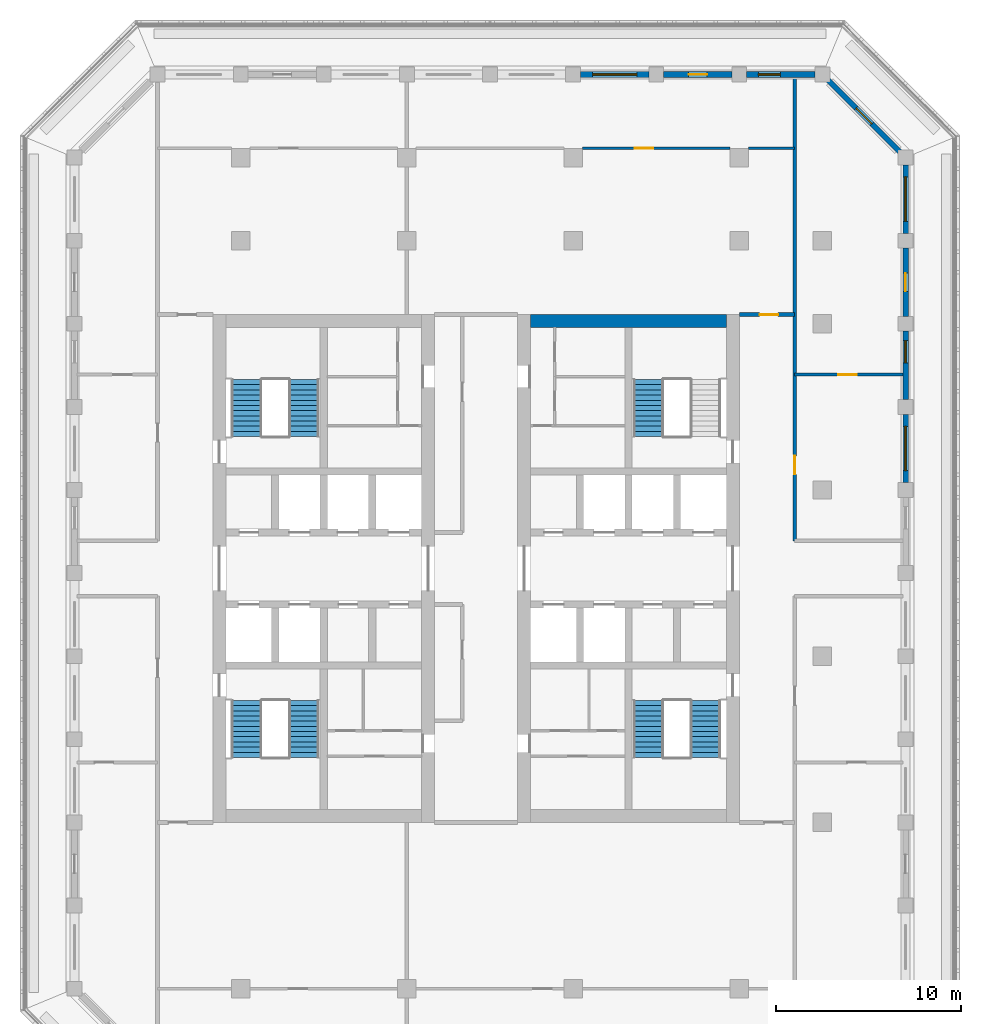
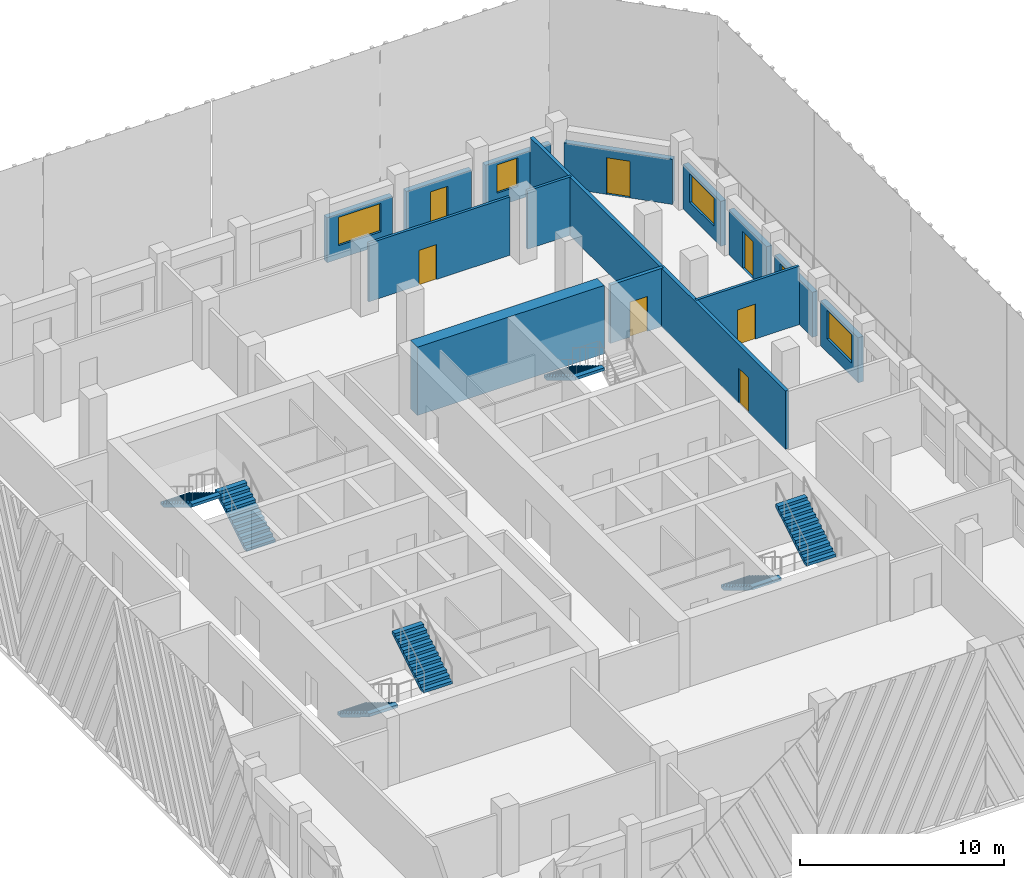
# One storey, part 7 of 17: 14 walls, 7 doors, 7 stair flights, 5 windows, 12 openings, 4 elements without a shape of their own.
"""IFC4 building model written with IfcOpenShell, lengths in metres."""

from ifc_helpers import new_model, si_unit, direction, frame, frame_2d, origin, place, context, subcontext, project, spatial, polyline, rectangle, outline, extrude, material, layer, layer_set, type_object, element, fill, aggregate, save


model = new_model("IFC4")

# Units and contexts
model_context = context("Model", 3, precision=1e-05, world=origin(), true_north=direction((0.0, 1.0)))
body_context = subcontext(model_context, "Body", "Model", "MODEL_VIEW")
ifc_project = project(units=[si_unit("LENGTHUNIT", "METRE"), si_unit("AREAUNIT", "SQUARE_METRE"), si_unit("VOLUMEUNIT", "CUBIC_METRE"), si_unit("PLANEANGLEUNIT", "RADIAN"), si_unit("MASSUNIT", "GRAM", prefix="KILO")], contexts=[model_context])

# Site, building, storey
site_placement = place(None, origin())
site = spatial("IfcSite", under=ifc_project, at=site_placement, CompositionType="ELEMENT")
building_placement = place(site_placement, origin())
building = spatial("IfcBuilding", under=site, at=building_placement, Name="Corbel Stack Research Tower", CompositionType="ELEMENT")
storey_placement = place(building_placement, frame((0.0, 0.0, 256.199951171875)))
storey = spatial("IfcBuildingStorey", under=building, at=storey_placement, Name="L58", CompositionType="ELEMENT", Elevation=256.199951171875)

# Wall
ifc_material_1 = material(Name="Concrete C60/75", Category="concrete")
ifc_layer_1 = layer(ifc_material_1, 0.699951171875)
ifc_layer_set_1 = layer_set([ifc_layer_1], Name="Concrete C60/75")
wall_type_1 = type_object("IfcWallType", Name="CW-700-60", PredefinedType="SHEAR", material=ifc_layer_set_1)
wall_1_placement = place(storey_placement, frame((6.699951171875, 18.14990234375, 0.0), z_axis=(0.0, 0.0, 1.0), x_axis=(1.0, 0.0, 0.0)))
element("IfcWall", 1, at=wall_1_placement, inside=storey, type_object=wall_type_1, Name="East core wall, north end L58", PredefinedType="SHEAR", context=body_context, shape_type="SweptSolid", body=[
    extrude(rectangle(XDim=10.60009765625, YDim=0.699951171875, at=frame_2d((5.300048828125, 0.0))), origin(), (0.0, 0.0, 1.0), 4.10009765625),
])

# Wall, opening, door
ifc_material_2 = material(Name="Fire-rated gypsum board partition on steel studs", Category="steel")
ifc_layer_2 = layer(ifc_material_2, 0.199951171875)
ifc_layer_set_2 = layer_set([ifc_layer_2], Name="Fire-rated gypsum board partition on steel studs")
wall_type_2 = type_object("IfcWallType", Name="Fire-rated partition 200 EI 60", PredefinedType="PARTITIONING", material=ifc_layer_set_2)
wall_2_placement = place(storey_placement, frame((21.0, 31.35009765625, 0.0), z_axis=(0.0, 0.0, 1.0), x_axis=(0.0, -1.0, 0.0)))
wall_2 = element("IfcWall", 2, at=wall_2_placement, inside=storey, type_object=wall_type_2, Name="Partition L58-011", PredefinedType="PARTITIONING", context=body_context, shape_type="SweptSolid", body=[
    extrude(rectangle(XDim=25.10009765625, YDim=0.199951171875, at=frame_2d((12.550048828125, 0.0))), origin(), (0.0, 0.0, 1.0), 3.5),
])
opening_1_placement = place(wall_2_placement, frame((20.5, 0.0, 0.0)))
opening_1 = element("IfcOpeningElement", 3, at=opening_1_placement, cuts=wall_2, Name="Opening B7V2-016", PredefinedType="OPENING", context=body_context, shape_type="SweptSolid", body=[
    extrude(rectangle(XDim=1.0, YDim=2.10009765625, at=frame_2d((0.5, 1.050048828125))), frame((0.0, 0.10986328125, 0.0), z_axis=(0.0, -1.0, 0.0), x_axis=(1.0, 0.0, 0.0)), (0.0, 0.0, 1.0), 0.219970703125),
])
ifc_material_3 = material(Name="Painted steel fire door", Category="steel")
door_type_1 = type_object("IfcDoorType", Name="Fire door FD30S 1000 x 2100", OperationType="NOTDEFINED", PredefinedType="DOOR", material=ifc_material_3)
door_1_placement = place(opening_1_placement, origin())
door_1 = element("IfcDoor", 4, at=door_1_placement, inside=storey, type_object=door_type_1, Name="Door B7V2-016", OperationType="SINGLE_SWING_RIGHT", OverallHeight=2.10009765625, OverallWidth=1.0, PredefinedType="DOOR", context=body_context, shape_type="SweptSolid", body=[
    extrude(rectangle(XDim=1.0, YDim=2.10009765625, at=frame_2d((0.5, 1.050048828125))), frame((0.0, 0.02490234375, 0.0), z_axis=(0.0, -1.0, 0.0), x_axis=(1.0, 0.0, 0.0)), (0.0, 0.0, 1.0), 0.050048828125),
])
fill(opening_1, door_1)

wall_3_placement = place(storey_placement, frame((18.0, 18.5, 0.0), z_axis=(0.0, 0.0, 1.0), x_axis=(1.0, 0.0, 0.0)))
wall_3 = element("IfcWall", 5, at=wall_3_placement, inside=storey, type_object=wall_type_2, Name="Partition L58-033", PredefinedType="PARTITIONING", context=body_context, shape_type="SweptSolid", body=[
    extrude(rectangle(XDim=3.0, YDim=0.199951171875, at=frame_2d((1.5, 0.0))), origin(), (0.0, 0.0, 1.0), 3.5),
])
opening_2_placement = place(wall_3_placement, frame((1.10009765625, 0.0, 0.0)))
opening_2 = element("IfcOpeningElement", 6, at=opening_2_placement, cuts=wall_3, Name="Opening B7V2-014", PredefinedType="OPENING", context=body_context, shape_type="SweptSolid", body=[
    extrude(rectangle(XDim=1.0, YDim=2.10009765625, at=frame_2d((0.5, 1.050048828125))), frame((0.0, 0.10986328125, 0.0), z_axis=(0.0, -1.0, 0.0), x_axis=(1.0, 0.0, 0.0)), (0.0, 0.0, 1.0), 0.219970703125),
])
door_2_placement = place(opening_2_placement, origin())
door_2 = element("IfcDoor", 7, at=door_2_placement, inside=storey, type_object=door_type_1, Name="Door B7V2-014", OperationType="SINGLE_SWING_RIGHT", OverallHeight=2.10009765625, OverallWidth=1.0, PredefinedType="DOOR", context=body_context, shape_type="SweptSolid", body=[
    extrude(rectangle(XDim=1.0, YDim=2.10009765625, at=frame_2d((0.5, 1.050048828125))), frame((0.0, 0.02490234375, 0.0), z_axis=(0.0, -1.0, 0.0), x_axis=(1.0, 0.0, 0.0)), (0.0, 0.0, 1.0), 0.050048828125),
])
fill(opening_2, door_2)

ifc_material_4 = material(Name="Gypsum board partition on steel studs", Category="steel")
ifc_layer_3 = layer(ifc_material_4, 0.14990234375)
ifc_layer_set_3 = layer_set([ifc_layer_3], Name="Gypsum board partition on steel studs")
wall_type_3 = type_object("IfcWallType", Name="Partition 150", PredefinedType="PARTITIONING", material=ifc_layer_set_3)
wall_4_placement = place(storey_placement, frame((21.0, 15.25, 0.0), z_axis=(0.0, 0.0, 1.0), x_axis=(1.0, 0.0, 0.0)))
wall_4 = element("IfcWall", 8, at=wall_4_placement, inside=storey, type_object=wall_type_3, Name="Partition L58-030", PredefinedType="PARTITIONING", context=body_context, shape_type="SweptSolid", body=[
    extrude(rectangle(XDim=5.85009765625, YDim=0.14990234375, at=frame_2d((2.925048828125, 0.0))), origin(), (0.0, 0.0, 1.0), 3.5),
])
opening_3_placement = place(wall_4_placement, frame((2.35009765625, 0.0, 0.0)))
opening_3 = element("IfcOpeningElement", 9, at=opening_3_placement, cuts=wall_4, Name="Opening B7V2-012", PredefinedType="OPENING", context=body_context, shape_type="SweptSolid", body=[
    extrude(rectangle(XDim=1.0, YDim=2.10009765625, at=frame_2d((0.5, 1.050048828125))), frame((0.0, 0.0849609375, 0.0), z_axis=(0.0, -1.0, 0.0), x_axis=(1.0, 0.0, 0.0)), (0.0, 0.0, 1.0), 0.169921875),
])
ifc_material_5 = material(Name="Painted timber door", Category="wood")
door_type_2 = type_object("IfcDoorType", Name="Single door 1000 x 2100", OperationType="NOTDEFINED", PredefinedType="DOOR", material=ifc_material_5)
door_3_placement = place(opening_3_placement, origin())
door_3 = element("IfcDoor", 10, at=door_3_placement, inside=storey, type_object=door_type_2, Name="Door B7V2-012", OperationType="SINGLE_SWING_LEFT", OverallHeight=2.10009765625, OverallWidth=1.0, PredefinedType="DOOR", context=body_context, shape_type="SweptSolid", body=[
    extrude(rectangle(XDim=1.0, YDim=2.10009765625, at=frame_2d((0.5, 1.050048828125))), frame((0.0, 0.02490234375, 0.0), z_axis=(0.0, -1.0, 0.0), x_axis=(1.0, 0.0, 0.0)), (0.0, 0.0, 1.0), 0.050048828125),
])
fill(opening_3, door_3)

wall_5_placement = place(storey_placement, frame((9.5, 27.5, 0.0), z_axis=(0.0, 0.0, 1.0), x_axis=(1.0, 0.0, 0.0)))
wall_5 = element("IfcWall", 11, at=wall_5_placement, inside=storey, type_object=wall_type_3, Name="Partition L58-037", PredefinedType="PARTITIONING", context=body_context, shape_type="SweptSolid", body=[
    extrude(rectangle(XDim=8.0, YDim=0.14990234375, at=frame_2d((4.0, 0.0))), origin(), (0.0, 0.0, 1.0), 3.5),
])
opening_4_placement = place(wall_5_placement, frame((2.85009765625, 0.0, 0.0)))
opening_4 = element("IfcOpeningElement", 12, at=opening_4_placement, cuts=wall_5, Name="Opening B7V2-018", PredefinedType="OPENING", context=body_context, shape_type="SweptSolid", body=[
    extrude(rectangle(XDim=1.0, YDim=2.10009765625, at=frame_2d((0.5, 1.050048828125))), frame((0.0, 0.0849609375, 0.0), z_axis=(0.0, -1.0, 0.0), x_axis=(1.0, 0.0, 0.0)), (0.0, 0.0, 1.0), 0.169921875),
])
door_4_placement = place(opening_4_placement, origin())
door_4 = element("IfcDoor", 13, at=door_4_placement, inside=storey, type_object=door_type_2, Name="Door B7V2-018", OperationType="SINGLE_SWING_LEFT", OverallHeight=2.10009765625, OverallWidth=1.0, PredefinedType="DOOR", context=body_context, shape_type="SweptSolid", body=[
    extrude(rectangle(XDim=1.0, YDim=2.10009765625, at=frame_2d((0.5, 1.050048828125))), frame((0.0, 0.02490234375, 0.0), z_axis=(0.0, -1.0, 0.0), x_axis=(1.0, 0.0, 0.0)), (0.0, 0.0, 1.0), 0.050048828125),
])
fill(opening_4, door_4)

# Wall
wall_6_placement = place(storey_placement, frame((18.5, 27.5, 0.0), z_axis=(0.0, 0.0, 1.0), x_axis=(1.0, 0.0, 0.0)))
element("IfcWall", 14, at=wall_6_placement, inside=storey, type_object=wall_type_3, Name="Partition L58-038", PredefinedType="PARTITIONING", context=body_context, shape_type="SweptSolid", body=[
    extrude(rectangle(XDim=2.5, YDim=0.14990234375, at=frame_2d((1.25, 0.0))), origin(), (0.0, 0.0, 1.0), 3.5),
])

# Wall, opening, window
ifc_material_6 = material(Name="Concrete C45/55", Category="concrete")
ifc_layer_4 = layer(ifc_material_6, 0.300048828125)
ifc_layer_set_4 = layer_set([ifc_layer_4], Name="Concrete C45/55")
wall_type_4 = type_object("IfcWallType", Name="Terracotta-faced concrete wall 300", PredefinedType="SOLIDWALL", material=ifc_layer_set_4)
wall_7_placement = place(storey_placement, frame((27.0, 13.10009765625, 0.0), z_axis=(0.0, 0.0, 1.0), x_axis=(0.0, -1.0, 0.0)))
wall_7 = element("IfcWall", 15, at=wall_7_placement, inside=storey, type_object=wall_type_4, Name="Facade wall L58 E07", PredefinedType="SOLIDWALL", context=body_context, shape_type="SweptSolid", body=[
    extrude(rectangle(XDim=3.7001953125, YDim=0.300048828125, at=frame_2d((1.85009765625, 0.0))), origin(), (0.0, 0.0, 1.0), 2.699951171875),
])
opening_5_placement = place(wall_7_placement, frame((0.64990234375, 0.0, 0.800048828125)))
opening_5 = element("IfcOpeningElement", 16, at=opening_5_placement, cuts=wall_7, Name="Opening W1", PredefinedType="OPENING", context=body_context, shape_type="SweptSolid", body=[
    extrude(rectangle(XDim=2.39990234375, YDim=1.699951171875, at=frame_2d((1.199951171875, 0.85009765625))), frame((0.0, 0.159912109375, 0.0), z_axis=(0.0, -1.0, 0.0), x_axis=(1.0, 0.0, 0.0)), (0.0, 0.0, 1.0), 0.320068359375),
])
ifc_material_7 = material(Name="Aluminium frame, clear double glazing", Category="aluminium")
window_type_1 = type_object("IfcWindowType", Name="Window W1 2400 x 1700", PartitioningType="SINGLE_PANEL", PredefinedType="WINDOW", material=ifc_material_7)
window_1_placement = place(opening_5_placement, origin())
window_1 = element("IfcWindow", 17, at=window_1_placement, inside=storey, type_object=window_type_1, Name="Window W1 L58 E07", OverallHeight=1.699951171875, OverallWidth=2.39990234375, PartitioningType="SINGLE_PANEL", PredefinedType="WINDOW", context=body_context, shape_type="SweptSolid", body=[
    extrude(rectangle(XDim=2.39990234375, YDim=1.699951171875, at=frame_2d((1.199951171875, 0.85009765625))), frame((0.0, 0.030029296875, 0.0), z_axis=(0.0, -1.0, 0.0), x_axis=(1.0, 0.0, 0.0)), (0.0, 0.0, 1.0), 0.06005859375),
])
fill(opening_5, window_1)

wall_8_placement = place(storey_placement, frame((27.0, 17.60009765625, 0.0), z_axis=(0.0, 0.0, 1.0), x_axis=(0.0, -1.0, 0.0)))
wall_8 = element("IfcWall", 18, at=wall_8_placement, inside=storey, type_object=wall_type_4, Name="Facade wall L58 E08", PredefinedType="SOLIDWALL", context=body_context, shape_type="SweptSolid", body=[
    extrude(rectangle(XDim=3.7001953125, YDim=0.300048828125, at=frame_2d((1.85009765625, 0.0))), origin(), (0.0, 0.0, 1.0), 2.699951171875),
])
opening_6_placement = place(wall_8_placement, frame((0.512451171875, 0.0, 0.800048828125)))
opening_6 = element("IfcOpeningElement", 19, at=opening_6_placement, cuts=wall_8, Name="Opening W2", PredefinedType="OPENING", context=body_context, shape_type="SweptSolid", body=[
    extrude(rectangle(XDim=1.199951171875, YDim=1.699951171875, at=frame_2d((0.60009765625, 0.85009765625))), frame((0.0, 0.159912109375, 0.0), z_axis=(0.0, -1.0, 0.0), x_axis=(1.0, 0.0, 0.0)), (0.0, 0.0, 1.0), 0.320068359375),
])
ifc_material_8 = material(Name="Aluminium frame, clear double glazing", Category="aluminium")
window_type_2 = type_object("IfcWindowType", Name="Window W2 1200 x 1700", PartitioningType="SINGLE_PANEL", PredefinedType="WINDOW", material=ifc_material_8)
window_2_placement = place(opening_6_placement, origin())
window_2 = element("IfcWindow", 20, at=window_2_placement, inside=storey, type_object=window_type_2, Name="Window W2 L58 E08", OverallHeight=1.699951171875, OverallWidth=1.199951171875, PartitioningType="SINGLE_PANEL", PredefinedType="WINDOW", context=body_context, shape_type="SweptSolid", body=[
    extrude(rectangle(XDim=1.199951171875, YDim=1.699951171875, at=frame_2d((0.60009765625, 0.85009765625))), frame((0.0, 0.030029296875, 0.0), z_axis=(0.0, -1.0, 0.0), x_axis=(1.0, 0.0, 0.0)), (0.0, 0.0, 1.0), 0.06005859375),
])
fill(opening_6, window_2)

# Wall, opening, door
wall_9_placement = place(storey_placement, frame((27.0, 22.10009765625, 0.0), z_axis=(0.0, 0.0, 1.0), x_axis=(0.0, -1.0, 0.0)))
wall_9 = element("IfcWall", 21, at=wall_9_placement, inside=storey, type_object=wall_type_4, Name="Facade wall L58 E09", PredefinedType="SOLIDWALL", context=body_context, shape_type="SweptSolid", body=[
    extrude(rectangle(XDim=3.7001953125, YDim=0.300048828125, at=frame_2d((1.85009765625, 0.0))), origin(), (0.0, 0.0, 1.0), 2.699951171875),
])
opening_7_placement = place(wall_9_placement, frame((1.35009765625, 0.0, 0.0)))
opening_7 = element("IfcOpeningElement", 22, at=opening_7_placement, cuts=wall_9, Name="Opening L58-B05", PredefinedType="OPENING", context=body_context, shape_type="SweptSolid", body=[
    extrude(rectangle(XDim=1.0, YDim=2.199951171875, at=frame_2d((0.5, 1.10009765625))), frame((0.0, 0.159912109375, 0.0), z_axis=(0.0, -1.0, 0.0), x_axis=(1.0, 0.0, 0.0)), (0.0, 0.0, 1.0), 0.320068359375),
])
ifc_material_9 = material(Name="Aluminium frame, clear double glazing", Category="aluminium")
door_type_3 = type_object("IfcDoorType", Name="Balcony door BD1 1000 x 2200", OperationType="NOTDEFINED", PredefinedType="DOOR", material=ifc_material_9)
door_5_placement = place(opening_7_placement, origin())
door_5 = element("IfcDoor", 23, at=door_5_placement, inside=storey, type_object=door_type_3, Name="Balcony door L58-B05", OperationType="SINGLE_SWING_LEFT", OverallHeight=2.199951171875, OverallWidth=1.0, PredefinedType="DOOR", context=body_context, shape_type="SweptSolid", body=[
    extrude(rectangle(XDim=1.0, YDim=2.199951171875, at=frame_2d((0.5, 1.10009765625))), frame((0.0, 0.02490234375, 0.0), z_axis=(0.0, -1.0, 0.0), x_axis=(1.0, 0.0, 0.0)), (0.0, 0.0, 1.0), 0.050048828125),
])
fill(opening_7, door_5)

# Wall, opening, window
wall_10_placement = place(storey_placement, frame((27.0, 26.60009765625, 0.0), z_axis=(0.0, 0.0, 1.0), x_axis=(0.0, -1.0, 0.0)))
wall_10 = element("IfcWall", 24, at=wall_10_placement, inside=storey, type_object=wall_type_4, Name="Facade wall L58 E10", PredefinedType="SOLIDWALL", context=body_context, shape_type="SweptSolid", body=[
    extrude(rectangle(XDim=3.7001953125, YDim=0.300048828125, at=frame_2d((1.85009765625, 0.0))), origin(), (0.0, 0.0, 1.0), 2.699951171875),
])
opening_8_placement = place(wall_10_placement, frame((0.64990234375, 0.0, 0.800048828125)))
opening_8 = element("IfcOpeningElement", 25, at=opening_8_placement, cuts=wall_10, Name="Opening W1", PredefinedType="OPENING", context=body_context, shape_type="SweptSolid", body=[
    extrude(rectangle(XDim=2.39990234375, YDim=1.699951171875, at=frame_2d((1.199951171875, 0.85009765625))), frame((0.0, 0.159912109375, 0.0), z_axis=(0.0, -1.0, 0.0), x_axis=(1.0, 0.0, 0.0)), (0.0, 0.0, 1.0), 0.320068359375),
])
window_3_placement = place(opening_8_placement, origin())
window_3 = element("IfcWindow", 26, at=window_3_placement, inside=storey, type_object=window_type_1, Name="Window W1 L58 E10", OverallHeight=1.699951171875, OverallWidth=2.39990234375, PartitioningType="SINGLE_PANEL", PredefinedType="WINDOW", context=body_context, shape_type="SweptSolid", body=[
    extrude(rectangle(XDim=2.39990234375, YDim=1.699951171875, at=frame_2d((1.199951171875, 0.85009765625))), frame((0.0, 0.030029296875, 0.0), z_axis=(0.0, -1.0, 0.0), x_axis=(1.0, 0.0, 0.0)), (0.0, 0.0, 1.0), 0.06005859375),
])
fill(opening_8, window_3)

# Wall, opening, door
wall_11_placement = place(storey_placement, frame((22.7939453125, 31.2060546875, 0.0), z_axis=(0.0, 0.0, 1.0), x_axis=(0.707106781187, -0.707106781187, 0.0)))
wall_11 = element("IfcWall", 27, at=wall_11_placement, inside=storey, type_object=wall_type_4, Name="Facade wall L58 NE01", PredefinedType="SOLIDWALL", context=body_context, shape_type="SweptSolid", body=[
    extrude(rectangle(XDim=5.532470703125, YDim=0.300048828125, at=frame_2d((2.76611328125, 0.0))), origin(), (0.0, 0.0, 1.0), 2.699951171875),
])
opening_9_placement = place(wall_11_placement, frame((2.166259765625, 0.0, 0.0)))
opening_9 = element("IfcOpeningElement", 28, at=opening_9_placement, cuts=wall_11, Name="Opening L58-B06", PredefinedType="OPENING", context=body_context, shape_type="SweptSolid", body=[
    extrude(rectangle(XDim=1.199951171875, YDim=2.199951171875, at=frame_2d((0.60009765625, 1.10009765625))), frame((0.0, 0.159912109375, 0.0), z_axis=(0.0, -1.0, 0.0), x_axis=(1.0, 0.0, 0.0)), (0.0, 0.0, 1.0), 0.320068359375),
])
ifc_material_10 = material(Name="Aluminium frame, clear double glazing", Category="aluminium")
door_type_4 = type_object("IfcDoorType", Name="Balcony door BD2 1200 x 2200", OperationType="NOTDEFINED", PredefinedType="DOOR", material=ifc_material_10)
door_6_placement = place(opening_9_placement, origin())
door_6 = element("IfcDoor", 29, at=door_6_placement, inside=storey, type_object=door_type_4, Name="Balcony door L58-B06", OperationType="SINGLE_SWING_LEFT", OverallHeight=2.199951171875, OverallWidth=1.199951171875, PredefinedType="DOOR", context=body_context, shape_type="SweptSolid", body=[
    extrude(rectangle(XDim=1.199951171875, YDim=2.199951171875, at=frame_2d((0.60009765625, 1.10009765625))), frame((0.0, 0.02490234375, 0.0), z_axis=(0.0, -1.0, 0.0), x_axis=(1.0, 0.0, 0.0)), (0.0, 0.0, 1.0), 0.050048828125),
])
fill(opening_9, door_6)

# Wall, opening, window
wall_12_placement = place(storey_placement, frame((18.39990234375, 31.5, 0.0), z_axis=(0.0, 0.0, 1.0), x_axis=(1.0, 0.0, 0.0)))
wall_12 = element("IfcWall", 30, at=wall_12_placement, inside=storey, type_object=wall_type_4, Name="Facade wall L58 N01", PredefinedType="SOLIDWALL", context=body_context, shape_type="SweptSolid", body=[
    extrude(rectangle(XDim=3.7001953125, YDim=0.300048828125, at=frame_2d((1.85009765625, 0.0))), origin(), (0.0, 0.0, 1.0), 2.699951171875),
])
opening_10_placement = place(wall_12_placement, frame((0.625, 0.0, 0.800048828125)))
opening_10 = element("IfcOpeningElement", 31, at=opening_10_placement, cuts=wall_12, Name="Opening W2", PredefinedType="OPENING", context=body_context, shape_type="SweptSolid", body=[
    extrude(rectangle(XDim=1.199951171875, YDim=1.699951171875, at=frame_2d((0.60009765625, 0.85009765625))), frame((0.0, 0.159912109375, 0.0), z_axis=(0.0, -1.0, 0.0), x_axis=(1.0, 0.0, 0.0)), (0.0, 0.0, 1.0), 0.320068359375),
])
window_4_placement = place(opening_10_placement, origin())
window_4 = element("IfcWindow", 32, at=window_4_placement, inside=storey, type_object=window_type_2, Name="Window W2 L58 N01", OverallHeight=1.699951171875, OverallWidth=1.199951171875, PartitioningType="SINGLE_PANEL", PredefinedType="WINDOW", context=body_context, shape_type="SweptSolid", body=[
    extrude(rectangle(XDim=1.199951171875, YDim=1.699951171875, at=frame_2d((0.60009765625, 0.85009765625))), frame((0.0, 0.030029296875, 0.0), z_axis=(0.0, -1.0, 0.0), x_axis=(1.0, 0.0, 0.0)), (0.0, 0.0, 1.0), 0.06005859375),
])
fill(opening_10, window_4)

# Wall, opening, door
wall_13_placement = place(storey_placement, frame((13.89990234375, 31.5, 0.0), z_axis=(0.0, 0.0, 1.0), x_axis=(1.0, 0.0, 0.0)))
wall_13 = element("IfcWall", 33, at=wall_13_placement, inside=storey, type_object=wall_type_4, Name="Facade wall L58 N02", PredefinedType="SOLIDWALL", context=body_context, shape_type="SweptSolid", body=[
    extrude(rectangle(XDim=3.7001953125, YDim=0.300048828125, at=frame_2d((1.85009765625, 0.0))), origin(), (0.0, 0.0, 1.0), 2.699951171875),
])
opening_11_placement = place(wall_13_placement, frame((1.35009765625, 0.0, 0.0)))
opening_11 = element("IfcOpeningElement", 34, at=opening_11_placement, cuts=wall_13, Name="Opening L58-B07", PredefinedType="OPENING", context=body_context, shape_type="SweptSolid", body=[
    extrude(rectangle(XDim=1.0, YDim=2.199951171875, at=frame_2d((0.5, 1.10009765625))), frame((0.0, 0.159912109375, 0.0), z_axis=(0.0, -1.0, 0.0), x_axis=(1.0, 0.0, 0.0)), (0.0, 0.0, 1.0), 0.320068359375),
])
door_7_placement = place(opening_11_placement, origin())
door_7 = element("IfcDoor", 35, at=door_7_placement, inside=storey, type_object=door_type_3, Name="Balcony door L58-B07", OperationType="SINGLE_SWING_RIGHT", OverallHeight=2.199951171875, OverallWidth=1.0, PredefinedType="DOOR", context=body_context, shape_type="SweptSolid", body=[
    extrude(rectangle(XDim=1.0, YDim=2.199951171875, at=frame_2d((0.5, 1.10009765625))), frame((0.0, 0.02490234375, 0.0), z_axis=(0.0, -1.0, 0.0), x_axis=(1.0, 0.0, 0.0)), (0.0, 0.0, 1.0), 0.050048828125),
])
fill(opening_11, door_7)

# Wall, opening, window
wall_14_placement = place(storey_placement, frame((9.39990234375, 31.5, 0.0), z_axis=(0.0, 0.0, 1.0), x_axis=(1.0, 0.0, 0.0)))
wall_14 = element("IfcWall", 36, at=wall_14_placement, inside=storey, type_object=wall_type_4, Name="Facade wall L58 N03", PredefinedType="SOLIDWALL", context=body_context, shape_type="SweptSolid", body=[
    extrude(rectangle(XDim=3.7001953125, YDim=0.300048828125, at=frame_2d((1.85009765625, 0.0))), origin(), (0.0, 0.0, 1.0), 2.699951171875),
])
opening_12_placement = place(wall_14_placement, frame((0.64990234375, 0.0, 0.800048828125)))
opening_12 = element("IfcOpeningElement", 37, at=opening_12_placement, cuts=wall_14, Name="Opening W1", PredefinedType="OPENING", context=body_context, shape_type="SweptSolid", body=[
    extrude(rectangle(XDim=2.39990234375, YDim=1.699951171875, at=frame_2d((1.199951171875, 0.85009765625))), frame((0.0, 0.159912109375, 0.0), z_axis=(0.0, -1.0, 0.0), x_axis=(1.0, 0.0, 0.0)), (0.0, 0.0, 1.0), 0.320068359375),
])
window_5_placement = place(opening_12_placement, origin())
window_5 = element("IfcWindow", 38, at=window_5_placement, inside=storey, type_object=window_type_1, Name="Window W1 L58 N03", OverallHeight=1.699951171875, OverallWidth=2.39990234375, PartitioningType="SINGLE_PANEL", PredefinedType="WINDOW", context=body_context, shape_type="SweptSolid", body=[
    extrude(rectangle(XDim=2.39990234375, YDim=1.699951171875, at=frame_2d((1.199951171875, 0.85009765625))), frame((0.0, 0.030029296875, 0.0), z_axis=(0.0, -1.0, 0.0), x_axis=(1.0, 0.0, 0.0)), (0.0, 0.0, 1.0), 0.06005859375),
])
fill(opening_12, window_5)

# Stair, stair flights
ifc_material_11 = material(Name="Concrete C40/50", Category="concrete")
stair_type = type_object("IfcStairType", Name="Exit stair 24 risers", PredefinedType="HALF_TURN_STAIR", material=ifc_material_11)
stair_1_placement = place(storey_placement, origin())
stair_1 = element("IfcStair", 39, at=stair_1_placement, inside=storey, type_object=stair_type, Name="L58 Exit stair ST-W1", PredefinedType="HALF_TURN_STAIR")
ifc_material_12 = material(Name="Concrete C40/50", Category="concrete")
stair_flight_type = type_object("IfcStairFlightType", Name="Stair flight 12 risers", PredefinedType="STRAIGHT", material=ifc_material_12)
stair_flight_1_placement = place(storey_placement, frame((-8.675048828125, -2.39990234375, 0.0), z_axis=(0.0, 0.0, 1.0), x_axis=(0.0, -1.0, 0.0)))
stair_flight_1 = element("IfcStairFlight", 40, at=stair_flight_1_placement, type_object=stair_flight_type, Name="ST-W1 flight 1", NumberOfRisers=12, NumberOfTreads=11, PredefinedType="STRAIGHT", RiserHeight=0.170833333, TreadLength=0.28, context=body_context, shape_type="SweptSolid", body=[
    extrude(outline(polyline([(0.0, 0.0), (0.0, 0.1708984375), (0.280029296875, 0.1708984375), (0.280029296875, 0.341552734375), (0.56005859375, 0.341552734375), (0.56005859375, 0.512451171875), (0.840087890625, 0.512451171875), (0.840087890625, 0.683349609375), (1.1201171875, 0.683349609375), (1.1201171875, 0.854248046875), (1.39990234375, 0.854248046875), (1.39990234375, 1.02490234375), (1.679931640625, 1.02490234375), (1.679931640625, 1.19580078125), (1.9599609375, 1.19580078125), (1.9599609375, 1.36669921875), (2.239990234375, 1.36669921875), (2.239990234375, 1.53759765625), (2.52001953125, 1.53759765625), (2.52001953125, 1.708251953125), (2.800048828125, 1.708251953125), (2.800048828125, 1.879150390625), (3.080078125, 1.879150390625), (3.080078125, 2.050048828125), (3.080078125, 1.70361328125), (0.287841796875, 0.0), (0.0, 0.0)])), frame((0.0, 0.824951171875, 0.0), z_axis=(0.0, -1.0, 0.0), x_axis=(1.0, 0.0, 0.0)), (0.0, 0.0, 1.0), 1.64990234375),
])
stair_flight_2_placement = place(storey_placement, frame((-5.574951171875, -5.47998046875, 2.050048828125), z_axis=(0.0, 0.0, 1.0), x_axis=(0.0, 1.0, 0.0)))
stair_flight_2 = element("IfcStairFlight", 41, at=stair_flight_2_placement, type_object=stair_flight_type, Name="ST-W1 flight 2", NumberOfRisers=12, NumberOfTreads=11, PredefinedType="STRAIGHT", RiserHeight=0.170833333, TreadLength=0.28, context=body_context, shape_type="SweptSolid", body=[
    extrude(outline(polyline([(0.0, 0.0), (0.0, 0.1708984375), (0.280029296875, 0.1708984375), (0.280029296875, 0.341552734375), (0.56005859375, 0.341552734375), (0.56005859375, 0.512451171875), (0.840087890625, 0.512451171875), (0.840087890625, 0.683349609375), (1.1201171875, 0.683349609375), (1.1201171875, 0.854248046875), (1.39990234375, 0.854248046875), (1.39990234375, 1.02490234375), (1.679931640625, 1.02490234375), (1.679931640625, 1.19580078125), (1.9599609375, 1.19580078125), (1.9599609375, 1.36669921875), (2.239990234375, 1.36669921875), (2.239990234375, 1.53759765625), (2.52001953125, 1.53759765625), (2.52001953125, 1.708251953125), (2.800048828125, 1.708251953125), (2.800048828125, 1.879150390625), (3.080078125, 1.879150390625), (3.080078125, 2.050048828125), (3.080078125, 1.70361328125), (0.287841796875, 0.0), (0.0, 0.0)])), frame((0.0, 0.824951171875, 0.0), z_axis=(0.0, -1.0, 0.0), x_axis=(1.0, 0.0, 0.0)), (0.0, 0.0, 1.0), 1.64990234375),
])
aggregate(stair_1, [stair_flight_1, stair_flight_2])

stair_2_placement = place(storey_placement, origin())
stair_2 = element("IfcStair", 42, at=stair_2_placement, inside=storey, type_object=stair_type, Name="L58 Exit stair ST-W2", PredefinedType="HALF_TURN_STAIR")
stair_flight_3_placement = place(storey_placement, frame((-5.574951171875, 11.89990234375, 0.0), z_axis=(0.0, 0.0, 1.0), x_axis=(0.0, 1.0, 0.0)))
stair_flight_3 = element("IfcStairFlight", 43, at=stair_flight_3_placement, type_object=stair_flight_type, Name="ST-W2 flight 1", NumberOfRisers=12, NumberOfTreads=11, PredefinedType="STRAIGHT", RiserHeight=0.170833333, TreadLength=0.28, context=body_context, shape_type="SweptSolid", body=[
    extrude(outline(polyline([(0.0, 0.0), (0.0, 0.1708984375), (0.280029296875, 0.1708984375), (0.280029296875, 0.341552734375), (0.56005859375, 0.341552734375), (0.56005859375, 0.512451171875), (0.840087890625, 0.512451171875), (0.840087890625, 0.683349609375), (1.1201171875, 0.683349609375), (1.1201171875, 0.854248046875), (1.39990234375, 0.854248046875), (1.39990234375, 1.02490234375), (1.679931640625, 1.02490234375), (1.679931640625, 1.19580078125), (1.9599609375, 1.19580078125), (1.9599609375, 1.36669921875), (2.239990234375, 1.36669921875), (2.239990234375, 1.53759765625), (2.52001953125, 1.53759765625), (2.52001953125, 1.708251953125), (2.800048828125, 1.708251953125), (2.800048828125, 1.879150390625), (3.080078125, 1.879150390625), (3.080078125, 2.050048828125), (3.080078125, 1.70361328125), (0.287841796875, 0.0), (0.0, 0.0)])), frame((0.0, 0.824951171875, 0.0), z_axis=(0.0, -1.0, 0.0), x_axis=(1.0, 0.0, 0.0)), (0.0, 0.0, 1.0), 1.64990234375),
])
stair_flight_4_placement = place(storey_placement, frame((-8.675048828125, 14.97998046875, 2.050048828125), z_axis=(0.0, 0.0, 1.0), x_axis=(0.0, -1.0, 0.0)))
stair_flight_4 = element("IfcStairFlight", 44, at=stair_flight_4_placement, type_object=stair_flight_type, Name="ST-W2 flight 2", NumberOfRisers=12, NumberOfTreads=11, PredefinedType="STRAIGHT", RiserHeight=0.170833333, TreadLength=0.28, context=body_context, shape_type="SweptSolid", body=[
    extrude(outline(polyline([(0.0, 0.0), (0.0, 0.1708984375), (0.280029296875, 0.1708984375), (0.280029296875, 0.341552734375), (0.56005859375, 0.341552734375), (0.56005859375, 0.512451171875), (0.840087890625, 0.512451171875), (0.840087890625, 0.683349609375), (1.1201171875, 0.683349609375), (1.1201171875, 0.854248046875), (1.39990234375, 0.854248046875), (1.39990234375, 1.02490234375), (1.679931640625, 1.02490234375), (1.679931640625, 1.19580078125), (1.9599609375, 1.19580078125), (1.9599609375, 1.36669921875), (2.239990234375, 1.36669921875), (2.239990234375, 1.53759765625), (2.52001953125, 1.53759765625), (2.52001953125, 1.708251953125), (2.800048828125, 1.708251953125), (2.800048828125, 1.879150390625), (3.080078125, 1.879150390625), (3.080078125, 2.050048828125), (3.080078125, 1.70361328125), (0.287841796875, 0.0), (0.0, 0.0)])), frame((0.0, 0.824951171875, 0.0), z_axis=(0.0, -1.0, 0.0), x_axis=(1.0, 0.0, 0.0)), (0.0, 0.0, 1.0), 1.64990234375),
])
aggregate(stair_2, [stair_flight_3, stair_flight_4])

stair_3_placement = place(storey_placement, origin())
stair_3 = element("IfcStair", 45, at=stair_3_placement, inside=storey, type_object=stair_type, Name="L58 Exit stair ST-E1", PredefinedType="HALF_TURN_STAIR")
stair_flight_5_placement = place(storey_placement, frame((13.074951171875, -2.39990234375, 0.0), z_axis=(0.0, 0.0, 1.0), x_axis=(0.0, -1.0, 0.0)))
stair_flight_5 = element("IfcStairFlight", 46, at=stair_flight_5_placement, type_object=stair_flight_type, Name="ST-E1 flight 1", NumberOfRisers=12, NumberOfTreads=11, PredefinedType="STRAIGHT", RiserHeight=0.170833333, TreadLength=0.28, context=body_context, shape_type="SweptSolid", body=[
    extrude(outline(polyline([(0.0, 0.0), (0.0, 0.1708984375), (0.280029296875, 0.1708984375), (0.280029296875, 0.341552734375), (0.56005859375, 0.341552734375), (0.56005859375, 0.512451171875), (0.840087890625, 0.512451171875), (0.840087890625, 0.683349609375), (1.1201171875, 0.683349609375), (1.1201171875, 0.854248046875), (1.39990234375, 0.854248046875), (1.39990234375, 1.02490234375), (1.679931640625, 1.02490234375), (1.679931640625, 1.19580078125), (1.9599609375, 1.19580078125), (1.9599609375, 1.36669921875), (2.239990234375, 1.36669921875), (2.239990234375, 1.53759765625), (2.52001953125, 1.53759765625), (2.52001953125, 1.708251953125), (2.800048828125, 1.708251953125), (2.800048828125, 1.879150390625), (3.080078125, 1.879150390625), (3.080078125, 2.050048828125), (3.080078125, 1.70361328125), (0.287841796875, 0.0), (0.0, 0.0)])), frame((0.0, 0.824951171875, 0.0), z_axis=(0.0, -1.0, 0.0), x_axis=(1.0, 0.0, 0.0)), (0.0, 0.0, 1.0), 1.64990234375),
])
stair_flight_6_placement = place(storey_placement, frame((16.175048828125, -5.47998046875, 2.050048828125), z_axis=(0.0, 0.0, 1.0), x_axis=(0.0, 1.0, 0.0)))
stair_flight_6 = element("IfcStairFlight", 47, at=stair_flight_6_placement, type_object=stair_flight_type, Name="ST-E1 flight 2", NumberOfRisers=12, NumberOfTreads=11, PredefinedType="STRAIGHT", RiserHeight=0.170833333, TreadLength=0.28, context=body_context, shape_type="SweptSolid", body=[
    extrude(outline(polyline([(0.0, 0.0), (0.0, 0.1708984375), (0.280029296875, 0.1708984375), (0.280029296875, 0.341552734375), (0.56005859375, 0.341552734375), (0.56005859375, 0.512451171875), (0.840087890625, 0.512451171875), (0.840087890625, 0.683349609375), (1.1201171875, 0.683349609375), (1.1201171875, 0.854248046875), (1.39990234375, 0.854248046875), (1.39990234375, 1.02490234375), (1.679931640625, 1.02490234375), (1.679931640625, 1.19580078125), (1.9599609375, 1.19580078125), (1.9599609375, 1.36669921875), (2.239990234375, 1.36669921875), (2.239990234375, 1.53759765625), (2.52001953125, 1.53759765625), (2.52001953125, 1.708251953125), (2.800048828125, 1.708251953125), (2.800048828125, 1.879150390625), (3.080078125, 1.879150390625), (3.080078125, 2.050048828125), (3.080078125, 1.70361328125), (0.287841796875, 0.0), (0.0, 0.0)])), frame((0.0, 0.824951171875, 0.0), z_axis=(0.0, -1.0, 0.0), x_axis=(1.0, 0.0, 0.0)), (0.0, 0.0, 1.0), 1.64990234375),
])
aggregate(stair_3, [stair_flight_5, stair_flight_6])

# Stair, stair flight
stair_4_placement = place(storey_placement, origin())
stair_4 = element("IfcStair", 48, at=stair_4_placement, inside=storey, type_object=stair_type, Name="L58 Exit stair ST-E2", PredefinedType="HALF_TURN_STAIR")
stair_flight_7_placement = place(storey_placement, frame((13.074951171875, 14.97998046875, 2.050048828125), z_axis=(0.0, 0.0, 1.0), x_axis=(0.0, -1.0, 0.0)))
stair_flight_7 = element("IfcStairFlight", 49, at=stair_flight_7_placement, type_object=stair_flight_type, Name="ST-E2 flight 2", NumberOfRisers=12, NumberOfTreads=11, PredefinedType="STRAIGHT", RiserHeight=0.170833333, TreadLength=0.28, context=body_context, shape_type="SweptSolid", body=[
    extrude(outline(polyline([(0.0, 0.0), (0.0, 0.1708984375), (0.280029296875, 0.1708984375), (0.280029296875, 0.341552734375), (0.56005859375, 0.341552734375), (0.56005859375, 0.512451171875), (0.840087890625, 0.512451171875), (0.840087890625, 0.683349609375), (1.1201171875, 0.683349609375), (1.1201171875, 0.854248046875), (1.39990234375, 0.854248046875), (1.39990234375, 1.02490234375), (1.679931640625, 1.02490234375), (1.679931640625, 1.19580078125), (1.9599609375, 1.19580078125), (1.9599609375, 1.36669921875), (2.239990234375, 1.36669921875), (2.239990234375, 1.53759765625), (2.52001953125, 1.53759765625), (2.52001953125, 1.708251953125), (2.800048828125, 1.708251953125), (2.800048828125, 1.879150390625), (3.080078125, 1.879150390625), (3.080078125, 2.050048828125), (3.080078125, 1.70361328125), (0.287841796875, 0.0), (0.0, 0.0)])), frame((0.0, 0.824951171875, 0.0), z_axis=(0.0, -1.0, 0.0), x_axis=(1.0, 0.0, 0.0)), (0.0, 0.0, 1.0), 1.64990234375),
])
aggregate(stair_4, [stair_flight_7])

save(model, "model.ifc")
